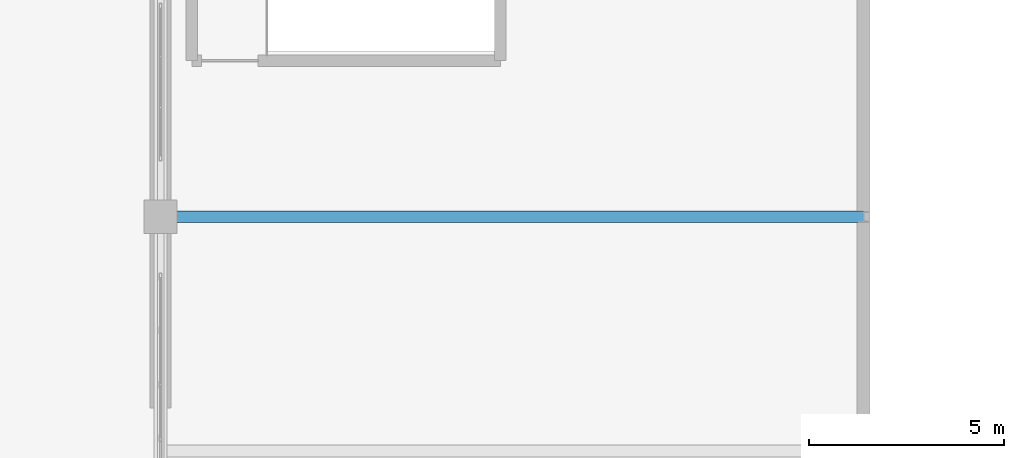
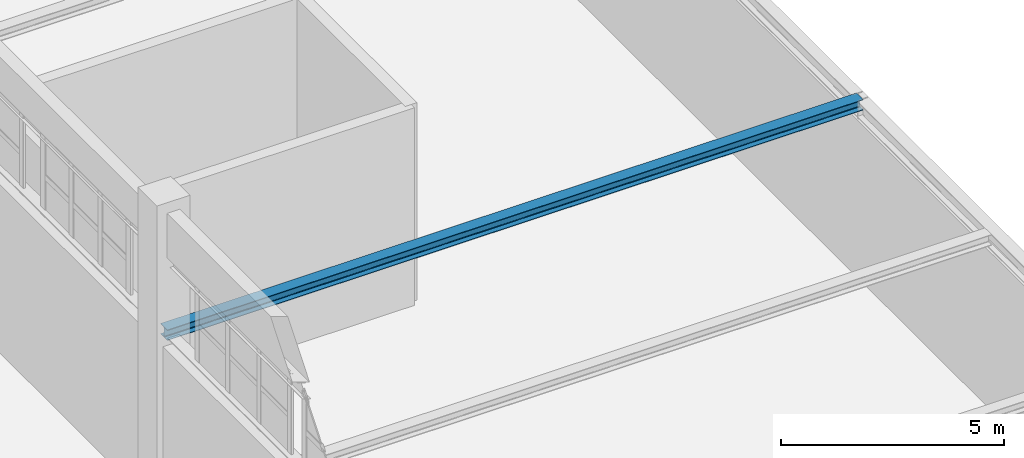
# One storey, part 50 of 97: 1 beam.
"""IFC4 building model written with IfcOpenShell, lengths in metres."""

from ifc_helpers import new_model, si_unit, derived_unit, direction, frame, origin, origin_2d, place, context, subcontext, project, spatial, i_section, extrude, material, material_profile, profile_set, type_object, element, save


model = new_model("IFC4")

# Units and contexts
model_context = context("Model", 3, precision=1e-05, world=origin(), true_north=direction((0.0, 1.0)))
body_context = subcontext(model_context, "Body", "Model", "MODEL_VIEW")
ifc_project = project(units=[si_unit("LENGTHUNIT", "METRE"), si_unit("AREAUNIT", "SQUARE_METRE"), si_unit("VOLUMEUNIT", "CUBIC_METRE"), si_unit("PLANEANGLEUNIT", "RADIAN"), si_unit("MASSUNIT", "GRAM", prefix="KILO"), derived_unit("THERMALTRANSMITTANCEUNIT", [(si_unit("POWERUNIT", "WATT"), 1), (si_unit("LENGTHUNIT", "METRE"), -2), (si_unit("THERMODYNAMICTEMPERATUREUNIT", "KELVIN"), -1)])], contexts=[model_context])

# Site, building, storey
site_placement = place(None, origin())
site = spatial("IfcSite", under=ifc_project, at=site_placement, CompositionType="ELEMENT")
building_placement = place(site_placement, origin())
building = spatial("IfcBuilding", under=site, at=building_placement, Name="Almenara Railside Exhibition Hall", CompositionType="ELEMENT")
storey_placement = place(building_placement, frame((0.0, 0.0, 10.800048828125)))
storey = spatial("IfcBuildingStorey", under=building, at=storey_placement, Name="L02", CompositionType="ELEMENT", Elevation=10.800048828125)

# Beam
ifc_material = material(Name="Structural steel S355JR", Category="steel")
ifc_material_profile = material_profile(ifc_material, i_section(OverallWidth=0.300048828125, OverallDepth=0.2900390625, WebThickness=0.008544921875, FlangeThickness=0.013916015625, FilletRadius=0.027099609375, at=origin_2d()), Name="HEA 300")
ifc_profile_set = profile_set([ifc_material_profile], Name="Structural steel S355JR")
beam_type = type_object("IfcBeamType", Name="Steel Concourse Tie Beam HEA 300 S355JR", PredefinedType="BEAM", material=ifc_profile_set)
beam_placement = place(storey_placement, frame((66.0, 72.0, 4.65087890625), z_axis=(1.0, 0.0, 0.0), x_axis=(0.0, 1.0, 0.0)))
element("IfcBeam", 1, at=beam_placement, inside=storey, type_object=beam_type, Name="Beam 0836", PredefinedType="BEAM", context=body_context, shape_type="SweptSolid", body=[
    extrude(i_section(OverallWidth=0.300048828125, OverallDepth=0.2900390625, WebThickness=0.008544921875, FlangeThickness=0.013916015625, FilletRadius=0.027099609375, at=origin_2d()), origin(), (0.0, 0.0, 1.0), 18.0),
])

save(model, "model.ifc")
